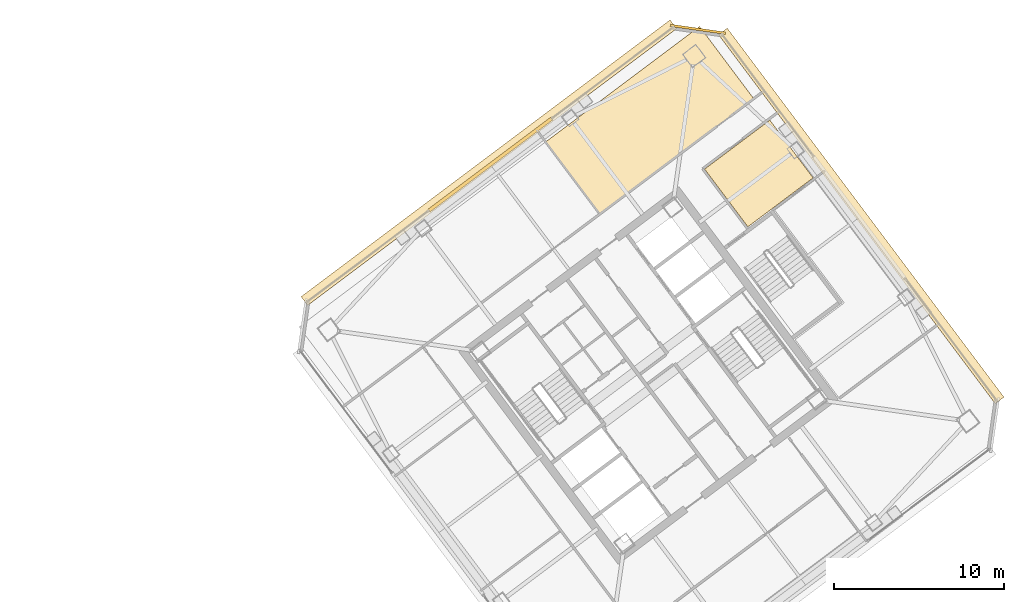
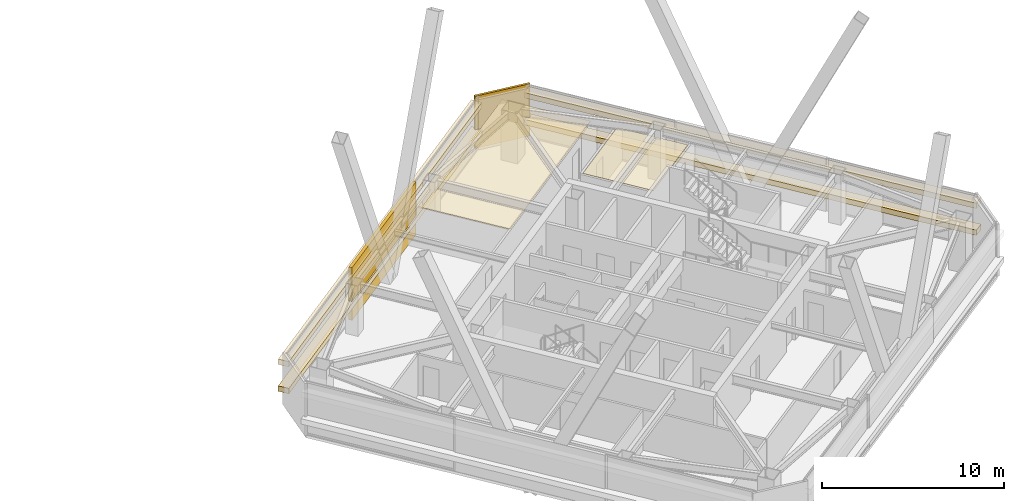
# One storey, part 47 of 47: 8 coverings.
"""IFC4 building model written with IfcOpenShell, lengths in metres."""

from ifc_helpers import new_model, si_unit, direction, frame, origin, origin_2d, place, context, subcontext, project, spatial, polyline, rectangle, outline, extrude, material, layer, layer_set, type_object, element, save


model = new_model("IFC4")

# Units and contexts
model_context = context("Model", 3, precision=1e-05, world=origin(), true_north=direction((0.0, 1.0)))
body_context = subcontext(model_context, "Body", "Model", "MODEL_VIEW")
ifc_project = project(units=[si_unit("LENGTHUNIT", "METRE"), si_unit("AREAUNIT", "SQUARE_METRE"), si_unit("VOLUMEUNIT", "CUBIC_METRE"), si_unit("PLANEANGLEUNIT", "RADIAN"), si_unit("MASSUNIT", "GRAM", prefix="KILO")], contexts=[model_context])

# Site, building, storey
site_placement = place(None, origin())
site = spatial("IfcSite", under=ifc_project, at=site_placement, CompositionType="ELEMENT")
building_placement = place(site_placement, origin())
building = spatial("IfcBuilding", under=site, at=building_placement, Name="Tashvorn Skyway Center", CompositionType="ELEMENT")
storey_placement = place(building_placement, frame((0.0, 0.0, 204.199951171875)))
storey = spatial("IfcBuildingStorey", under=building, at=storey_placement, Name="L55", CompositionType="ELEMENT", Elevation=204.199951171875)

# Coverings
ifc_material_1 = material(Name="Precast concrete C40/50", Category="concrete")
ifc_layer_1 = layer(ifc_material_1, 0.199951171875)
ifc_layer_set_1 = layer_set([ifc_layer_1], Name="Precast concrete C40/50")
covering_type_1 = type_object("IfcCoveringType", Name="COV-BRACE-CLAD", PredefinedType="CLADDING", material=ifc_layer_set_1)
covering_1_placement = place(storey_placement, frame((104.7119140625, 44.384033203125, 0.0), z_axis=(0.0, 0.0, 1.0), x_axis=(0.799999996291, 0.600000004945, 0.0)))
element("IfcCovering", 1, at=covering_1_placement, inside=storey, type_object=covering_type_1, Name="Tower 2 L55 North Unitised Curtain Wall Mega-Brace Cladding Band 1", PredefinedType="CLADDING", context=body_context, shape_type="SweptSolid", body=[
    extrude(rectangle(XDim=8.98681640625, YDim=0.199951171875, at=origin_2d()), origin(), (0.0, 0.0, 1.0), 3.550048828125),
])
ifc_material_2 = material(Name="Mineral-fibre acoustic ceiling tile on suspended grid")
ifc_layer_2 = layer(ifc_material_2, 0.02001953125)
ifc_layer_set_2 = layer_set([ifc_layer_2], Name="Mineral-fibre acoustic ceiling tile on suspended grid")
covering_type_2 = type_object("IfcCoveringType", Name="COV-CEIL-20", PredefinedType="CEILING", material=ifc_layer_set_2)
covering_2_placement = place(storey_placement, frame((0.0, 0.0, 2.703125)))
element("IfcCovering", 2, at=covering_2_placement, inside=storey, type_object=covering_type_2, Name="Tower 2 L55 Wellness Clinic Acoustic Ceiling", PredefinedType="CEILING", context=body_context, shape_type="SweptSolid", body=[
    extrude(outline(polyline([(111.139892578125, 41.47998046875), (120.179931640625, 48.260009765625), (117.0, 52.5), (107.9599609375, 45.719970703125), (111.139892578125, 41.47998046875)])), origin(), (0.0, 0.0, 1.0), 0.02001953125),
])
covering_3_placement = place(storey_placement, frame((0.0, 0.0, 2.703125)))
element("IfcCovering", 3, at=covering_3_placement, inside=storey, type_object=covering_type_2, Name="Tower 2 L55 Operations Control Room Acoustic Ceiling", PredefinedType="CEILING", context=body_context, shape_type="SweptSolid", body=[
    extrude(outline(polyline([(119.840087890625, 40.72998046875), (117.2958984375, 44.1220703125), (121.1279296875, 46.99609375), (123.672119140625, 43.60400390625), (119.840087890625, 40.72998046875)])), origin(), (0.0, 0.0, 1.0), 0.02001953125),
])
ifc_material_3 = material(Name="Perforated ceramic-coated bronze aluminium solar screen", Category="aluminium")
ifc_layer_3 = layer(ifc_material_3, 0.85009765625)
ifc_layer_set_3 = layer_set([ifc_layer_3], Name="Perforated ceramic-coated bronze aluminium solar screen")
covering_type_3 = type_object("IfcCoveringType", Name="COV-SOLAR-BAND", PredefinedType="CLADDING", material=ifc_layer_set_3)
for number, where, z_axis, x_axis, name in (
    (4, (104.6279296875, 44.49609375, 0.919921875), (0.0, 0.0, 1.0), (0.799999996291, 0.600000004945, 0.0), "L55 Perforated Ceramic-Metal Solar Screen Louvre Band North 1"),
    (5, (104.6279296875, 44.49609375, 2.72021484375), (0.0, 0.0, 1.0), (0.799999996291, 0.600000004945, 0.0), "L55 Perforated Ceramic-Metal Solar Screen Louvre Band North 2"),
    (6, (126.49609375, 41.3720703125, 0.919921875), (0.0, 0.0, 1.0), (0.600000004945, -0.799999996291, 0.0), "L55 Perforated Ceramic-Metal Solar Screen Louvre Band East 1"),
    (7, (126.49609375, 41.3720703125, 2.72021484375), (0.0, 0.0, 1.0), (0.600000004945, -0.799999996291, 0.0), "L55 Perforated Ceramic-Metal Solar Screen Louvre Band East 2"),
):
    element("IfcCovering", number, at=place(storey_placement, frame(where, z_axis=z_axis, x_axis=x_axis)), inside=storey, type_object=covering_type_3, Name=name, PredefinedType="CLADDING", context=body_context, shape_type="SweptSolid", body=[
        extrude(rectangle(XDim=27.080078125, YDim=0.639892578125, at=origin_2d()), origin(), (0.0, 0.0, 1.0), 0.360107421875),
    ])
ifc_layer_4 = layer(ifc_material_1, 0.35009765625)
ifc_layer_set_4 = layer_set([ifc_layer_4], Name="Precast concrete C40/50")
covering_type_4 = type_object("IfcCoveringType", Name="COV-STONE-TRIM", PredefinedType="CLADDING", material=ifc_layer_set_4)
covering_4_placement = place(storey_placement, frame((116.904052734375, 52.327880859375, 0.02001953125), z_axis=(0.0, 0.0, 1.0), x_axis=(0.989949494535, -0.141421350118, 0.0)))
element("IfcCovering", 8, at=covering_4_placement, inside=storey, type_object=covering_type_4, Name="Tower 2 L55 NE Mojave Limestone Corner Quoin", PredefinedType="CLADDING", context=body_context, shape_type="SweptSolid", body=[
    extrude(rectangle(XDim=3.271240234375, YDim=0.139892578125, at=origin_2d()), origin(), (0.0, 0.0, 1.0), 3.510009765625),
])

save(model, "model.ifc")
